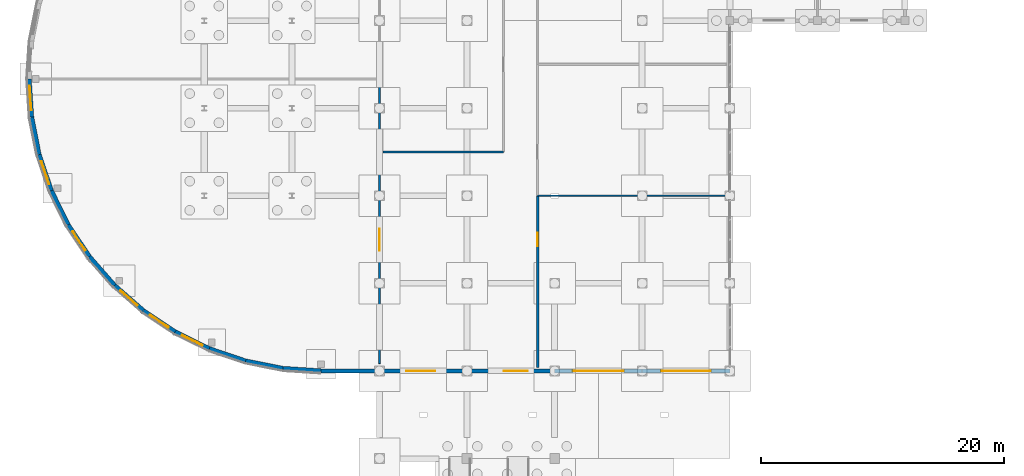
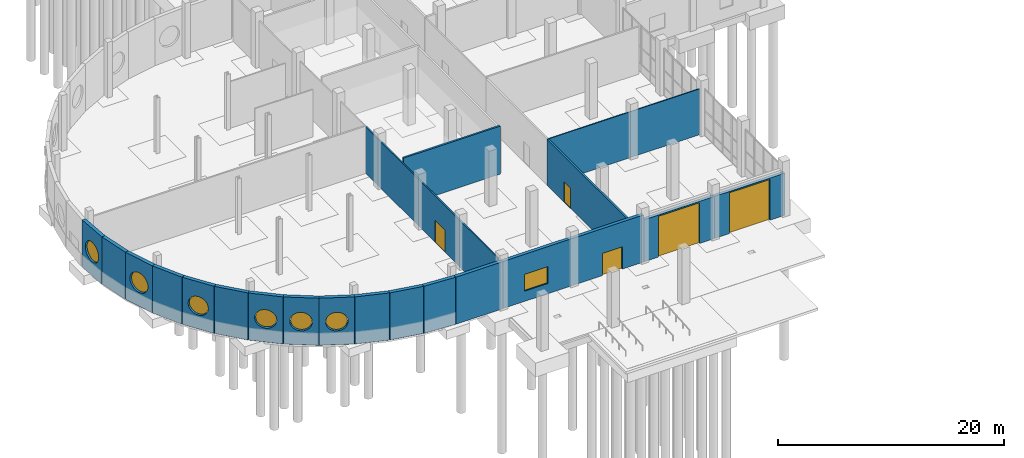
# One storey, part 29 of 45: 20 walls, 7 windows, 5 doors, 12 openings.
"""IFC4 building model written with IfcOpenShell, lengths in metres."""

from ifc_helpers import new_model, si_unit, direction, frame, frame_2d, origin, place, context, subcontext, project, spatial, polyline, rectangle, outline, extrude, material, layer, layer_set, type_object, element, fill, save


model = new_model("IFC4")

# Units and contexts
model_context = context("Model", 3, precision=1e-05, world=origin(), true_north=direction((0.0, 1.0)))
body_context = subcontext(model_context, "Body", "Model", "MODEL_VIEW")
ifc_project = project(units=[si_unit("LENGTHUNIT", "METRE"), si_unit("AREAUNIT", "SQUARE_METRE"), si_unit("VOLUMEUNIT", "CUBIC_METRE"), si_unit("PLANEANGLEUNIT", "RADIAN"), si_unit("MASSUNIT", "GRAM", prefix="KILO")], contexts=[model_context])

# Site, building, storey
site_placement = place(None, origin())
site = spatial("IfcSite", under=ifc_project, at=site_placement, CompositionType="ELEMENT")
building_placement = place(site_placement, origin())
building = spatial("IfcBuilding", under=site, at=building_placement, Name="Yarey Park Central Fire Station", CompositionType="ELEMENT")
storey_placement = place(building_placement, origin())
storey = spatial("IfcBuildingStorey", under=building, at=storey_placement, Name="L01", CompositionType="ELEMENT", Elevation=0.0)

# Wall, openings, door, window
ifc_material_1 = material(Name="Coral-Limestone Masonry Wall", Category="masonry")
ifc_layer_1 = layer(ifc_material_1, 0.330078125)
ifc_layer_set_1 = layer_set([ifc_layer_1], Name="Coral-Limestone Masonry Wall")
wall_type_1 = type_object("IfcWallType", Name="ENV_WALL_LIME330", PredefinedType="STANDARD", material=ifc_layer_set_1)
wall_1_placement = place(storey_placement, frame((43.199951171875, 7.199951171875, 0.0), z_axis=(0.0, 0.0, 1.0), x_axis=(-1.0, 0.0, 0.0)))
wall_1 = element("IfcWall", 1, at=wall_1_placement, inside=storey, type_object=wall_type_1, Name="EW_L01_V1_SOUTH", PredefinedType="STANDARD", context=body_context, shape_type="SweptSolid", body=[
    extrude(rectangle(XDim=14.39990234375, YDim=0.330078125, at=frame_2d((7.199951171875, 0.0))), origin(), (0.0, 0.0, 1.0), 5.080078125),
])
opening_1_placement = place(wall_1_placement, frame((2.199951171875, 0.0, 0.0)))
opening_1 = element("IfcOpeningElement", 2, at=opening_1_placement, cuts=wall_1, Name="Opening ED-200", PredefinedType="OPENING", context=body_context, shape_type="SweptSolid", body=[
    extrude(rectangle(XDim=2.0, YDim=2.39990234375, at=frame_2d((1.0, 1.199951171875))), frame((0.0, 0.175048828125, 0.0), z_axis=(0.0, -1.0, 0.0), x_axis=(1.0, 0.0, 0.0)), (0.0, 0.0, 1.0), 0.35009765625),
])
opening_2_placement = place(wall_1_placement, frame((9.800048828125, 0.0, 1.10009765625)))
opening_2 = element("IfcOpeningElement", 3, at=opening_2_placement, cuts=wall_1, Name="Opening WN-P240", PredefinedType="OPENING", context=body_context, shape_type="SweptSolid", body=[
    extrude(rectangle(XDim=2.39990234375, YDim=1.820068359375, at=frame_2d((1.199951171875, 0.91015625))), frame((0.0, 0.175048828125, 0.0), z_axis=(0.0, -1.0, 0.0), x_axis=(1.0, 0.0, 0.0)), (0.0, 0.0, 1.0), 0.35009765625),
])
ifc_material_2 = material(Name="Galvanized Hollow Metal Door", Category="metal")
door_type_1 = type_object("IfcDoorType", Name="ENV_DOOR_EX2000", OperationType="NOTDEFINED", PredefinedType="DOOR", material=ifc_material_2)
door_1_placement = place(opening_1_placement, origin())
door_1 = element("IfcDoor", 4, at=door_1_placement, inside=storey, type_object=door_type_1, Name="DOOR_L01_EX_E06", OperationType="SINGLE_SWING_RIGHT", OverallHeight=2.39990234375, OverallWidth=2.0, PredefinedType="DOOR", context=body_context, shape_type="SweptSolid", body=[
    extrude(rectangle(XDim=2.0, YDim=2.39990234375, at=frame_2d((1.0, 1.199951171875))), frame((0.0, 0.02490234375, 0.0), z_axis=(0.0, -1.0, 0.0), x_axis=(1.0, 0.0, 0.0)), (0.0, 0.0, 1.0), 0.050048828125),
])
fill(opening_1, door_1)
ifc_material_3 = material(Name="Laminated Hurricane Low-E Glass", Category="glass")
window_type_1 = type_object("IfcWindowType", Name="ENV_WIN_PUNCH_240", PartitioningType="SINGLE_PANEL", PredefinedType="WINDOW", material=ifc_material_3)
window_1_placement = place(opening_2_placement, origin())
window_1 = element("IfcWindow", 5, at=window_1_placement, inside=storey, type_object=window_type_1, Name="WIN_L01_V1S_1", OverallHeight=1.820068359375, OverallWidth=2.39990234375, PartitioningType="SINGLE_PANEL", PredefinedType="WINDOW", context=body_context, shape_type="SweptSolid", body=[
    extrude(rectangle(XDim=2.39990234375, YDim=1.820068359375, at=frame_2d((1.199951171875, 0.91015625))), frame((0.0, 0.030029296875, 0.0), z_axis=(0.0, -1.0, 0.0), x_axis=(1.0, 0.0, 0.0)), (0.0, 0.0, 1.0), 0.06005859375),
])
fill(opening_2, window_1)

# Wall, opening, door
wall_2_placement = place(storey_placement, frame((50.39990234375, 7.199951171875, 0.0), z_axis=(0.0, 0.0, 1.0), x_axis=(-1.0, 0.0, 0.0)))
wall_2 = element("IfcWall", 6, at=wall_2_placement, inside=storey, type_object=wall_type_1, Name="EW_L01_V1_SGATE_1", PredefinedType="STANDARD", context=body_context, shape_type="SweptSolid", body=[
    extrude(rectangle(XDim=7.199951171875, YDim=0.330078125, at=frame_2d((3.60009765625, 0.0))), origin(), (0.0, 0.0, 1.0), 4.5400390625),
])
opening_3_placement = place(wall_2_placement, frame((1.5, 0.0, 0.0)))
opening_3 = element("IfcOpeningElement", 7, at=opening_3_placement, cuts=wall_2, Name="Opening VD-42", PredefinedType="OPENING", context=body_context, shape_type="SweptSolid", body=[
    extrude(rectangle(XDim=4.199951171875, YDim=4.39990234375, at=frame_2d((2.10009765625, 2.199951171875))), frame((0.0, 0.175048828125, 0.0), z_axis=(0.0, -1.0, 0.0), x_axis=(1.0, 0.0, 0.0)), (0.0, 0.0, 1.0), 0.35009765625),
])
ifc_material_4 = material(Name="Anodized Aluminium Frame", Category="aluminium")
door_type_2 = type_object("IfcDoorType", Name="ENV_GATE_VD4200", OperationType="NOTDEFINED", PredefinedType="GATE", material=ifc_material_4)
door_2_placement = place(opening_3_placement, origin())
door_2 = element("IfcDoor", 8, at=door_2_placement, inside=storey, type_object=door_type_2, Name="GATE_VD_PLINTH_S1", OperationType="FOLDING_TO_LEFT", OverallHeight=4.39990234375, OverallWidth=4.199951171875, PredefinedType="GATE", context=body_context, shape_type="SweptSolid", body=[
    extrude(rectangle(XDim=4.199951171875, YDim=4.39990234375, at=frame_2d((2.10009765625, 2.199951171875))), frame((0.0, 0.02490234375, 0.0), z_axis=(0.0, -1.0, 0.0), x_axis=(1.0, 0.0, 0.0)), (0.0, 0.0, 1.0), 0.050048828125),
])
fill(opening_3, door_2)

wall_3_placement = place(storey_placement, frame((57.60009765625, 7.199951171875, 0.0), z_axis=(0.0, 0.0, 1.0), x_axis=(-1.0, 0.0, 0.0)))
wall_3 = element("IfcWall", 9, at=wall_3_placement, inside=storey, type_object=wall_type_1, Name="EW_L01_V1_SGATE_2", PredefinedType="STANDARD", context=body_context, shape_type="SweptSolid", body=[
    extrude(rectangle(XDim=7.2001953125, YDim=0.330078125, at=frame_2d((3.60009765625, 0.0))), origin(), (0.0, 0.0, 1.0), 4.5400390625),
])
opening_4_placement = place(wall_3_placement, frame((1.550048828125, 0.0, 0.0)))
opening_4 = element("IfcOpeningElement", 10, at=opening_4_placement, cuts=wall_3, Name="Opening VD-41", PredefinedType="OPENING", context=body_context, shape_type="SweptSolid", body=[
    extrude(rectangle(XDim=4.10009765625, YDim=4.39990234375, at=frame_2d((2.050048828125, 2.199951171875))), frame((0.0, 0.175048828125, 0.0), z_axis=(0.0, -1.0, 0.0), x_axis=(1.0, 0.0, 0.0)), (0.0, 0.0, 1.0), 0.35009765625),
])
door_type_3 = type_object("IfcDoorType", Name="ENV_GATE_VD4100", OperationType="NOTDEFINED", PredefinedType="GATE", material=ifc_material_4)
door_3_placement = place(opening_4_placement, origin())
door_3 = element("IfcDoor", 11, at=door_3_placement, inside=storey, type_object=door_type_3, Name="GATE_VD_PLINTH_S2", OperationType="FOLDING_TO_LEFT", OverallHeight=4.39990234375, OverallWidth=4.10009765625, PredefinedType="GATE", context=body_context, shape_type="SweptSolid", body=[
    extrude(rectangle(XDim=4.10009765625, YDim=4.39990234375, at=frame_2d((2.050048828125, 2.199951171875))), frame((0.0, 0.02490234375, 0.0), z_axis=(0.0, -1.0, 0.0), x_axis=(1.0, 0.0, 0.0)), (0.0, 0.0, 1.0), 0.050048828125),
])
fill(opening_4, door_3)

# Wall, opening, window
ifc_layer_2 = layer(ifc_material_1, 0.360107421875)
ifc_layer_set_2 = layer_set([ifc_layer_2], Name="Coral-Limestone Masonry Wall")
wall_type_2 = type_object("IfcWallType", Name="ENV_WALL_LIME360", PredefinedType="STANDARD", material=ifc_layer_set_2)
wall_4_placement = place(storey_placement, frame((0.0, 31.199951171875, 0.0), z_axis=(0.0, 0.0, 1.0), x_axis=(0.065404045199, -0.997858863202, 0.0)))
wall_4 = element("IfcWall", 12, at=wall_4_placement, inside=storey, type_object=wall_type_2, Name="EW_L01_V1_ARC_13", PredefinedType="STANDARD", context=body_context, shape_type="SweptSolid", body=[
    extrude(rectangle(XDim=3.139404296875, YDim=0.360107421875, at=frame_2d((1.56982421875, 0.0))), origin(), (0.0, 0.0, 1.0), 5.080078125),
])
opening_5_placement = place(wall_4_placement, frame((0.569580078125, 0.0, 1.550048828125)))
opening_5 = element("IfcOpeningElement", 13, at=opening_5_placement, cuts=wall_4, Name="Opening WN-PH200", PredefinedType="OPENING", context=body_context, shape_type="SweptSolid", body=[
    extrude(outline(polyline([(2.06494140625, 1.0), (2.02880859375, 1.275390625), (1.92236328125, 1.531982421875), (1.753173828125, 1.75244140625), (1.532470703125, 1.921630859375), (1.275634765625, 2.02783203125), (1.0, 2.064208984375), (0.724365234375, 2.02783203125), (0.467529296875, 1.921630859375), (0.246826171875, 1.75244140625), (0.07763671875, 1.531982421875), (-0.02880859375, 1.275390625), (-0.06494140625, 1.0), (-0.02880859375, 0.724609375), (0.07763671875, 0.468017578125), (0.246826171875, 0.24755859375), (0.467529296875, 0.078369140625), (0.724365234375, -0.02783203125), (1.0, -0.064208984375), (1.275634765625, -0.02783203125), (1.532470703125, 0.078369140625), (1.753173828125, 0.24755859375), (1.92236328125, 0.468017578125), (2.02880859375, 0.724609375), (2.06494140625, 1.0)])), frame((0.0, 0.18994140625, 0.0), z_axis=(0.0, -1.0, 0.0), x_axis=(1.0, 0.0, 0.0)), (0.0, 0.0, 1.0), 0.380126953125),
])
window_type_2 = type_object("IfcWindowType", Name="ENV_WIN_PORTHOLE", PartitioningType="SINGLE_PANEL", PredefinedType="WINDOW", material=ifc_material_3)
window_2_placement = place(opening_5_placement, origin())
window_2 = element("IfcWindow", 14, at=window_2_placement, inside=storey, type_object=window_type_2, Name="WIN_L01_PORTHOLE_07", OverallHeight=2.0, OverallWidth=2.0, PartitioningType="SINGLE_PANEL", PredefinedType="WINDOW", context=body_context, shape_type="SweptSolid", body=[
    extrude(outline(polyline([(2.0, 1.0), (1.9658203125, 1.258544921875), (1.865966796875, 1.49951171875), (1.70703125, 1.70654296875), (1.5, 1.865234375), (1.2587890625, 1.965087890625), (1.0, 1.999267578125), (0.7412109375, 1.965087890625), (0.5, 1.865234375), (0.29296875, 1.70654296875), (0.134033203125, 1.49951171875), (0.0341796875, 1.258544921875), (0.0, 1.0), (0.0341796875, 0.741455078125), (0.134033203125, 0.50048828125), (0.29296875, 0.29345703125), (0.5, 0.134765625), (0.7412109375, 0.034912109375), (1.0, 0.000732421875), (1.2587890625, 0.034912109375), (1.5, 0.134765625), (1.70703125, 0.29345703125), (1.865966796875, 0.50048828125), (1.9658203125, 0.741455078125), (2.0, 1.0)])), frame((0.0, 0.030029296875, 0.0), z_axis=(0.0, -1.0, 0.0), x_axis=(1.0, 0.0, 0.0)), (0.0, 0.0, 1.0), 0.06005859375),
])
fill(opening_5, window_2)

# Wall
wall_5_placement = place(storey_placement, frame((0.205322265625, 28.0673828125, 0.0), z_axis=(0.0, 0.0, 1.0), x_axis=(0.195114052077, -0.980780559902, 0.0)))
element("IfcWall", 15, at=wall_5_placement, inside=storey, type_object=wall_type_2, Name="EW_L01_V1_ARC_14", PredefinedType="STANDARD", context=body_context, shape_type="SweptSolid", body=[
    extrude(rectangle(XDim=3.139404296875, YDim=0.360107421875, at=frame_2d((1.56982421875, 0.0))), origin(), (0.0, 0.0, 1.0), 5.080078125),
])

# Wall, opening, window
wall_6_placement = place(storey_placement, frame((0.81787109375, 24.98828125, 0.0), z_axis=(0.0, 0.0, 1.0), x_axis=(0.32142586303, -0.946934746736, 0.0)))
wall_6 = element("IfcWall", 16, at=wall_6_placement, inside=storey, type_object=wall_type_2, Name="EW_L01_V1_ARC_15", PredefinedType="STANDARD", context=body_context, shape_type="SweptSolid", body=[
    extrude(rectangle(XDim=3.13916015625, YDim=0.360107421875, at=frame_2d((1.569580078125, 0.0))), origin(), (0.0, 0.0, 1.0), 5.080078125),
])
opening_6_placement = place(wall_6_placement, frame((0.569580078125, 0.0, 1.550048828125)))
opening_6 = element("IfcOpeningElement", 17, at=opening_6_placement, cuts=wall_6, Name="Opening WN-PH200", PredefinedType="OPENING", context=body_context, shape_type="SweptSolid", body=[
    extrude(outline(polyline([(2.06494140625, 1.0), (2.02880859375, 1.275390625), (1.92236328125, 1.531982421875), (1.753173828125, 1.75244140625), (1.532470703125, 1.921630859375), (1.275634765625, 2.02783203125), (1.0, 2.064208984375), (0.724365234375, 2.02783203125), (0.467529296875, 1.921630859375), (0.246826171875, 1.75244140625), (0.07763671875, 1.531982421875), (-0.02880859375, 1.275390625), (-0.06494140625, 1.0), (-0.02880859375, 0.724609375), (0.07763671875, 0.468017578125), (0.246826171875, 0.24755859375), (0.467529296875, 0.078369140625), (0.724365234375, -0.02783203125), (1.0, -0.064208984375), (1.275634765625, -0.02783203125), (1.532470703125, 0.078369140625), (1.753173828125, 0.24755859375), (1.92236328125, 0.468017578125), (2.02880859375, 0.724609375), (2.06494140625, 1.0)])), frame((0.0, 0.18994140625, 0.0), z_axis=(0.0, -1.0, 0.0), x_axis=(1.0, 0.0, 0.0)), (0.0, 0.0, 1.0), 0.380126953125),
])
window_3_placement = place(opening_6_placement, origin())
window_3 = element("IfcWindow", 18, at=window_3_placement, inside=storey, type_object=window_type_2, Name="WIN_L01_PORTHOLE_08", OverallHeight=2.0, OverallWidth=2.0, PartitioningType="SINGLE_PANEL", PredefinedType="WINDOW", context=body_context, shape_type="SweptSolid", body=[
    extrude(outline(polyline([(2.0, 1.0), (1.9658203125, 1.258544921875), (1.865966796875, 1.49951171875), (1.70703125, 1.70654296875), (1.5, 1.865234375), (1.2587890625, 1.965087890625), (1.0, 1.999267578125), (0.7412109375, 1.965087890625), (0.5, 1.865234375), (0.29296875, 1.70654296875), (0.134033203125, 1.49951171875), (0.0341796875, 1.258544921875), (0.0, 1.0), (0.0341796875, 0.741455078125), (0.134033203125, 0.50048828125), (0.29296875, 0.29345703125), (0.5, 0.134765625), (0.7412109375, 0.034912109375), (1.0, 0.000732421875), (1.2587890625, 0.034912109375), (1.5, 0.134765625), (1.70703125, 0.29345703125), (1.865966796875, 0.50048828125), (1.9658203125, 0.741455078125), (2.0, 1.0)])), frame((0.0, 0.030029296875, 0.0), z_axis=(0.0, -1.0, 0.0), x_axis=(1.0, 0.0, 0.0)), (0.0, 0.0, 1.0), 0.06005859375),
])
fill(opening_6, window_3)

# Wall
wall_7_placement = place(storey_placement, frame((1.826904296875, 22.015625, 0.0), z_axis=(0.0, 0.0, 1.0), x_axis=(0.442260778396, -0.896886505581, 0.0)))
element("IfcWall", 19, at=wall_7_placement, inside=storey, type_object=wall_type_2, Name="EW_L01_V1_ARC_16", PredefinedType="STANDARD", context=body_context, shape_type="SweptSolid", body=[
    extrude(rectangle(XDim=3.139404296875, YDim=0.360107421875, at=frame_2d((1.56982421875, 0.0))), origin(), (0.0, 0.0, 1.0), 5.080078125),
])

# Wall, opening, window
wall_8_placement = place(storey_placement, frame((3.21533203125, 19.199951171875, 0.0), z_axis=(0.0, 0.0, 1.0), x_axis=(0.555597233272, -0.831451570676, 0.0)))
wall_8 = element("IfcWall", 20, at=wall_8_placement, inside=storey, type_object=wall_type_2, Name="EW_L01_V1_ARC_17", PredefinedType="STANDARD", context=body_context, shape_type="SweptSolid", body=[
    extrude(rectangle(XDim=3.13916015625, YDim=0.360107421875, at=frame_2d((1.569580078125, 0.0))), origin(), (0.0, 0.0, 1.0), 5.080078125),
])
opening_7_placement = place(wall_8_placement, frame((0.629638671875, 0.0, 1.550048828125)))
opening_7 = element("IfcOpeningElement", 21, at=opening_7_placement, cuts=wall_8, Name="Opening WN-PH188", PredefinedType="OPENING", context=body_context, shape_type="SweptSolid", body=[
    extrude(outline(polyline([(1.94482421875, 0.93994140625), (1.91064453125, 1.199951171875), (1.810302734375, 1.44189453125), (1.650634765625, 1.64990234375), (1.4423828125, 1.8095703125), (1.199951171875, 1.909912109375), (0.93994140625, 1.944091796875), (0.679931640625, 1.909912109375), (0.4375, 1.8095703125), (0.229248046875, 1.64990234375), (0.069580078125, 1.44189453125), (-0.03076171875, 1.199951171875), (-0.06494140625, 0.93994140625), (-0.03076171875, 0.679931640625), (0.069580078125, 0.43798828125), (0.229248046875, 0.22998046875), (0.4375, 0.0703125), (0.679931640625, -0.030029296875), (0.93994140625, -0.064208984375), (1.199951171875, -0.030029296875), (1.4423828125, 0.0703125), (1.650634765625, 0.22998046875), (1.810302734375, 0.43798828125), (1.91064453125, 0.679931640625), (1.94482421875, 0.93994140625)])), frame((0.0, 0.18994140625, 0.0), z_axis=(0.0, -1.0, 0.0), x_axis=(1.0, 0.0, 0.0)), (0.0, 0.0, 1.0), 0.380126953125),
])
window_type_3 = type_object("IfcWindowType", Name="ENV_WIN_PORTHOLE_B", PartitioningType="SINGLE_PANEL", PredefinedType="WINDOW", material=ifc_material_3)
window_4_placement = place(opening_7_placement, origin())
window_4 = element("IfcWindow", 22, at=window_4_placement, inside=storey, type_object=window_type_3, Name="WIN_L01_PORTHOLE_09", OverallHeight=1.8798828125, OverallWidth=1.8798828125, PartitioningType="SINGLE_PANEL", PredefinedType="WINDOW", context=body_context, shape_type="SweptSolid", body=[
    extrude(outline(polyline([(1.8798828125, 0.93994140625), (1.847900390625, 1.18310546875), (1.75390625, 1.409423828125), (1.6044921875, 1.60400390625), (1.409912109375, 1.753173828125), (1.18310546875, 1.84716796875), (0.93994140625, 1.879150390625), (0.69677734375, 1.84716796875), (0.469970703125, 1.753173828125), (0.275390625, 1.60400390625), (0.1259765625, 1.409423828125), (0.031982421875, 1.18310546875), (0.0, 0.93994140625), (0.031982421875, 0.69677734375), (0.1259765625, 0.470458984375), (0.275390625, 0.27587890625), (0.469970703125, 0.126708984375), (0.69677734375, 0.03271484375), (0.93994140625, 0.000732421875), (1.18310546875, 0.03271484375), (1.409912109375, 0.126708984375), (1.6044921875, 0.27587890625), (1.75390625, 0.470458984375), (1.847900390625, 0.69677734375), (1.8798828125, 0.93994140625)])), frame((0.0, 0.030029296875, 0.0), z_axis=(0.0, -1.0, 0.0), x_axis=(1.0, 0.0, 0.0)), (0.0, 0.0, 1.0), 0.06005859375),
])
fill(opening_7, window_4)

# Wall
wall_9_placement = place(storey_placement, frame((4.95947265625, 16.58984375, 0.0), z_axis=(0.0, 0.0, 1.0), x_axis=(0.659363026646, -0.75182471301, 0.0)))
element("IfcWall", 23, at=wall_9_placement, inside=storey, type_object=wall_type_2, Name="EW_L01_V1_ARC_18", PredefinedType="STANDARD", context=body_context, shape_type="SweptSolid", body=[
    extrude(rectangle(XDim=3.139404296875, YDim=0.360107421875, at=frame_2d((1.56982421875, 0.0))), origin(), (0.0, 0.0, 1.0), 5.080078125),
])

# Wall, opening, window
wall_10_placement = place(storey_placement, frame((7.029541015625, 14.2294921875, 0.0), z_axis=(0.0, 0.0, 1.0), x_axis=(0.751790901293, -0.659401577745, 0.0)))
wall_10 = element("IfcWall", 24, at=wall_10_placement, inside=storey, type_object=wall_type_2, Name="EW_L01_V1_ARC_19", PredefinedType="STANDARD", context=body_context, shape_type="SweptSolid", body=[
    extrude(rectangle(XDim=3.139404296875, YDim=0.360107421875, at=frame_2d((1.56982421875, 0.0))), origin(), (0.0, 0.0, 1.0), 5.080078125),
])
opening_8_placement = place(wall_10_placement, frame((0.629638671875, 0.0, 1.550048828125)))
opening_8 = element("IfcOpeningElement", 25, at=opening_8_placement, cuts=wall_10, Name="Opening WN-PH188", PredefinedType="OPENING", context=body_context, shape_type="SweptSolid", body=[
    extrude(outline(polyline([(1.94482421875, 0.93994140625), (1.91064453125, 1.199951171875), (1.810302734375, 1.44189453125), (1.650634765625, 1.64990234375), (1.4423828125, 1.8095703125), (1.199951171875, 1.909912109375), (0.93994140625, 1.944091796875), (0.679931640625, 1.909912109375), (0.4375, 1.8095703125), (0.229248046875, 1.64990234375), (0.069580078125, 1.44189453125), (-0.03076171875, 1.199951171875), (-0.06494140625, 0.93994140625), (-0.03076171875, 0.679931640625), (0.069580078125, 0.43798828125), (0.229248046875, 0.22998046875), (0.4375, 0.0703125), (0.679931640625, -0.030029296875), (0.93994140625, -0.064208984375), (1.199951171875, -0.030029296875), (1.4423828125, 0.0703125), (1.650634765625, 0.22998046875), (1.810302734375, 0.43798828125), (1.91064453125, 0.679931640625), (1.94482421875, 0.93994140625)])), frame((0.0, 0.18994140625, 0.0), z_axis=(0.0, -1.0, 0.0), x_axis=(1.0, 0.0, 0.0)), (0.0, 0.0, 1.0), 0.380126953125),
])
window_5_placement = place(opening_8_placement, origin())
window_5 = element("IfcWindow", 26, at=window_5_placement, inside=storey, type_object=window_type_3, Name="WIN_L01_PORTHOLE_10", OverallHeight=1.8798828125, OverallWidth=1.8798828125, PartitioningType="SINGLE_PANEL", PredefinedType="WINDOW", context=body_context, shape_type="SweptSolid", body=[
    extrude(outline(polyline([(1.8798828125, 0.93994140625), (1.847900390625, 1.18310546875), (1.75390625, 1.409423828125), (1.6044921875, 1.60400390625), (1.409912109375, 1.753173828125), (1.18310546875, 1.84716796875), (0.93994140625, 1.879150390625), (0.69677734375, 1.84716796875), (0.469970703125, 1.753173828125), (0.275390625, 1.60400390625), (0.1259765625, 1.409423828125), (0.031982421875, 1.18310546875), (0.0, 0.93994140625), (0.031982421875, 0.69677734375), (0.1259765625, 0.470458984375), (0.275390625, 0.27587890625), (0.469970703125, 0.126708984375), (0.69677734375, 0.03271484375), (0.93994140625, 0.000732421875), (1.18310546875, 0.03271484375), (1.409912109375, 0.126708984375), (1.6044921875, 0.27587890625), (1.75390625, 0.470458984375), (1.847900390625, 0.69677734375), (1.8798828125, 0.93994140625)])), frame((0.0, 0.030029296875, 0.0), z_axis=(0.0, -1.0, 0.0), x_axis=(1.0, 0.0, 0.0)), (0.0, 0.0, 1.0), 0.06005859375),
])
fill(opening_8, window_5)

wall_11_placement = place(storey_placement, frame((9.3896484375, 12.159423828125, 0.0), z_axis=(0.0, 0.0, 1.0), x_axis=(0.831475575397, -0.555561308514, 0.0)))
wall_11 = element("IfcWall", 27, at=wall_11_placement, inside=storey, type_object=wall_type_2, Name="EW_L01_V1_ARC_20", PredefinedType="STANDARD", context=body_context, shape_type="SweptSolid", body=[
    extrude(rectangle(XDim=3.139404296875, YDim=0.360107421875, at=frame_2d((1.56982421875, 0.0))), origin(), (0.0, 0.0, 1.0), 5.080078125),
])
opening_9_placement = place(wall_11_placement, frame((0.629638671875, 0.0, 1.550048828125)))
opening_9 = element("IfcOpeningElement", 28, at=opening_9_placement, cuts=wall_11, Name="Opening WN-PH188", PredefinedType="OPENING", context=body_context, shape_type="SweptSolid", body=[
    extrude(outline(polyline([(1.94482421875, 0.93994140625), (1.91064453125, 1.199951171875), (1.810302734375, 1.44189453125), (1.650634765625, 1.64990234375), (1.4423828125, 1.8095703125), (1.199951171875, 1.909912109375), (0.93994140625, 1.944091796875), (0.679931640625, 1.909912109375), (0.4375, 1.8095703125), (0.229248046875, 1.64990234375), (0.069580078125, 1.44189453125), (-0.03076171875, 1.199951171875), (-0.06494140625, 0.93994140625), (-0.03076171875, 0.679931640625), (0.069580078125, 0.43798828125), (0.229248046875, 0.22998046875), (0.4375, 0.0703125), (0.679931640625, -0.030029296875), (0.93994140625, -0.064208984375), (1.199951171875, -0.030029296875), (1.4423828125, 0.0703125), (1.650634765625, 0.22998046875), (1.810302734375, 0.43798828125), (1.91064453125, 0.679931640625), (1.94482421875, 0.93994140625)])), frame((0.0, 0.18994140625, 0.0), z_axis=(0.0, -1.0, 0.0), x_axis=(1.0, 0.0, 0.0)), (0.0, 0.0, 1.0), 0.380126953125),
])
window_6_placement = place(opening_9_placement, origin())
window_6 = element("IfcWindow", 29, at=window_6_placement, inside=storey, type_object=window_type_3, Name="WIN_L01_PORTHOLE_11", OverallHeight=1.8798828125, OverallWidth=1.8798828125, PartitioningType="SINGLE_PANEL", PredefinedType="WINDOW", context=body_context, shape_type="SweptSolid", body=[
    extrude(outline(polyline([(1.8798828125, 0.93994140625), (1.847900390625, 1.18310546875), (1.75390625, 1.409423828125), (1.6044921875, 1.60400390625), (1.409912109375, 1.753173828125), (1.18310546875, 1.84716796875), (0.93994140625, 1.879150390625), (0.69677734375, 1.84716796875), (0.469970703125, 1.753173828125), (0.275390625, 1.60400390625), (0.1259765625, 1.409423828125), (0.031982421875, 1.18310546875), (0.0, 0.93994140625), (0.031982421875, 0.69677734375), (0.1259765625, 0.470458984375), (0.275390625, 0.27587890625), (0.469970703125, 0.126708984375), (0.69677734375, 0.03271484375), (0.93994140625, 0.000732421875), (1.18310546875, 0.03271484375), (1.409912109375, 0.126708984375), (1.6044921875, 0.27587890625), (1.75390625, 0.470458984375), (1.847900390625, 0.69677734375), (1.8798828125, 0.93994140625)])), frame((0.0, 0.030029296875, 0.0), z_axis=(0.0, -1.0, 0.0), x_axis=(1.0, 0.0, 0.0)), (0.0, 0.0, 1.0), 0.06005859375),
])
fill(opening_9, window_6)

wall_12_placement = place(storey_placement, frame((12.0, 10.415283203125, 0.0), z_axis=(0.0, 0.0, 1.0), x_axis=(0.896886505581, -0.442260778396, 0.0)))
wall_12 = element("IfcWall", 30, at=wall_12_placement, inside=storey, type_object=wall_type_2, Name="EW_L01_V1_ARC_21", PredefinedType="STANDARD", context=body_context, shape_type="SweptSolid", body=[
    extrude(rectangle(XDim=3.139404296875, YDim=0.360107421875, at=frame_2d((1.56982421875, 0.0))), origin(), (0.0, 0.0, 1.0), 5.080078125),
])
opening_10_placement = place(wall_12_placement, frame((0.629638671875, 0.0, 1.550048828125)))
opening_10 = element("IfcOpeningElement", 31, at=opening_10_placement, cuts=wall_12, Name="Opening WN-PH188", PredefinedType="OPENING", context=body_context, shape_type="SweptSolid", body=[
    extrude(outline(polyline([(1.94482421875, 0.93994140625), (1.91064453125, 1.199951171875), (1.810302734375, 1.44189453125), (1.650634765625, 1.64990234375), (1.4423828125, 1.8095703125), (1.199951171875, 1.909912109375), (0.93994140625, 1.944091796875), (0.679931640625, 1.909912109375), (0.4375, 1.8095703125), (0.229248046875, 1.64990234375), (0.069580078125, 1.44189453125), (-0.03076171875, 1.199951171875), (-0.06494140625, 0.93994140625), (-0.03076171875, 0.679931640625), (0.069580078125, 0.43798828125), (0.229248046875, 0.22998046875), (0.4375, 0.0703125), (0.679931640625, -0.030029296875), (0.93994140625, -0.064208984375), (1.199951171875, -0.030029296875), (1.4423828125, 0.0703125), (1.650634765625, 0.22998046875), (1.810302734375, 0.43798828125), (1.91064453125, 0.679931640625), (1.94482421875, 0.93994140625)])), frame((0.0, 0.18994140625, 0.0), z_axis=(0.0, -1.0, 0.0), x_axis=(1.0, 0.0, 0.0)), (0.0, 0.0, 1.0), 0.380126953125),
])
window_7_placement = place(opening_10_placement, origin())
window_7 = element("IfcWindow", 32, at=window_7_placement, inside=storey, type_object=window_type_3, Name="WIN_L01_PORTHOLE_12", OverallHeight=1.8798828125, OverallWidth=1.8798828125, PartitioningType="SINGLE_PANEL", PredefinedType="WINDOW", context=body_context, shape_type="SweptSolid", body=[
    extrude(outline(polyline([(1.8798828125, 0.93994140625), (1.847900390625, 1.18310546875), (1.75390625, 1.409423828125), (1.6044921875, 1.60400390625), (1.409912109375, 1.753173828125), (1.18310546875, 1.84716796875), (0.93994140625, 1.879150390625), (0.69677734375, 1.84716796875), (0.469970703125, 1.753173828125), (0.275390625, 1.60400390625), (0.1259765625, 1.409423828125), (0.031982421875, 1.18310546875), (0.0, 0.93994140625), (0.031982421875, 0.69677734375), (0.1259765625, 0.470458984375), (0.275390625, 0.27587890625), (0.469970703125, 0.126708984375), (0.69677734375, 0.03271484375), (0.93994140625, 0.000732421875), (1.18310546875, 0.03271484375), (1.409912109375, 0.126708984375), (1.6044921875, 0.27587890625), (1.75390625, 0.470458984375), (1.847900390625, 0.69677734375), (1.8798828125, 0.93994140625)])), frame((0.0, 0.030029296875, 0.0), z_axis=(0.0, -1.0, 0.0), x_axis=(1.0, 0.0, 0.0)), (0.0, 0.0, 1.0), 0.06005859375),
])
fill(opening_10, window_7)

# Walls
wall_13_placement = place(storey_placement, frame((14.815673828125, 9.02685546875, 0.0), z_axis=(0.0, 0.0, 1.0), x_axis=(0.946934746736, -0.32142586303, 0.0)))
element("IfcWall", 33, at=wall_13_placement, inside=storey, type_object=wall_type_2, Name="EW_L01_V1_ARC_22", PredefinedType="STANDARD", context=body_context, shape_type="SweptSolid", body=[
    extrude(rectangle(XDim=3.13916015625, YDim=0.360107421875, at=frame_2d((1.569580078125, 0.0))), origin(), (0.0, 0.0, 1.0), 5.080078125),
])
for number, where, z_axis, x_axis, name in (
    (34, (17.788330078125, 8.017822265625, 0.0), (0.0, 0.0, 1.0), (0.980780559902, -0.195114052077, 0.0), "EW_L01_V1_ARC_23"),
    (35, (20.867431640625, 7.4052734375, 0.0), (0.0, 0.0, 1.0), (0.997858863202, -0.065404045199, 0.0), "EW_L01_V1_ARC_24"),
):
    element("IfcWall", number, at=place(storey_placement, frame(where, z_axis=z_axis, x_axis=x_axis)), inside=storey, type_object=wall_type_2, Name=name, PredefinedType="STANDARD", context=body_context, shape_type="SweptSolid", body=[
        extrude(rectangle(XDim=3.139404296875, YDim=0.360107421875, at=frame_2d((1.56982421875, 0.0))), origin(), (0.0, 0.0, 1.0), 5.080078125),
    ])
wall_14_placement = place(storey_placement, frame((24.0, 7.199951171875, 0.0), z_axis=(0.0, 0.0, 1.0), x_axis=(1.0, 0.0, 0.0)))
element("IfcWall", 36, at=wall_14_placement, inside=storey, type_object=wall_type_2, Name="EW_L01_V1_NECK_S", PredefinedType="STANDARD", context=body_context, shape_type="SweptSolid", body=[
    extrude(rectangle(XDim=4.800048828125, YDim=0.360107421875, at=frame_2d((2.39990234375, 0.0))), origin(), (0.0, 0.0, 1.0), 5.080078125),
])
ifc_material_5 = material(Name="Concrete C35/45", Category="concrete")
ifc_layer_3 = layer(ifc_material_5, 0.18994140625)
ifc_layer_set_3 = layer_set([ifc_layer_3], Name="Concrete C35/45")
wall_type_3 = type_object("IfcWallType", Name="INT_WALL_CMU190", PredefinedType="STANDARD", material=ifc_layer_set_3)
wall_15_placement = place(storey_placement, frame((29.10009765625, 25.199951171875, 0.0), z_axis=(0.0, 0.0, 1.0), x_axis=(1.0, 0.0, 0.0)))
element("IfcWall", 37, at=wall_15_placement, inside=storey, type_object=wall_type_3, Name="PART_SPC_L01_WATCH_SOUTH", PredefinedType="STANDARD", context=body_context, shape_type="SweptSolid", body=[
    extrude(rectangle(XDim=9.89990234375, YDim=0.18994140625, at=frame_2d((4.949951171875, 0.0))), origin(), (0.0, 0.0, 1.0), 5.177978515625),
])

# Wall, opening, door
wall_16_placement = place(storey_placement, frame((41.800048828125, 21.60009765625, 0.0), z_axis=(0.0, 0.0, 1.0), x_axis=(0.0, -1.0, 0.0)))
wall_16 = element("IfcWall", 38, at=wall_16_placement, inside=storey, type_object=wall_type_3, Name="PART_SPC_L01_RED_WEST", PredefinedType="STANDARD", context=body_context, shape_type="SweptSolid", body=[
    extrude(rectangle(XDim=14.10009765625, YDim=0.18994140625, at=frame_2d((7.050048828125, 0.0))), origin(), (0.0, 0.0, 1.0), 4.944091796875),
])
opening_11_placement = place(wall_16_placement, frame((3.050048828125, 0.0, 0.0)))
opening_11 = element("IfcOpeningElement", 39, at=opening_11_placement, cuts=wall_16, Name="Opening ID-110", PredefinedType="OPENING", context=body_context, shape_type="SweptSolid", body=[
    extrude(rectangle(XDim=1.10009765625, YDim=2.199951171875, at=frame_2d((0.550048828125, 1.10009765625))), frame((0.0, 0.10498046875, 0.0), z_axis=(0.0, -1.0, 0.0), x_axis=(1.0, 0.0, 0.0)), (0.0, 0.0, 1.0), 0.2099609375),
])
ifc_material_6 = material(Name="Hardwood Acoustic Leaf", Category="wood")
door_type_4 = type_object("IfcDoorType", Name="DR_INT_1100", OperationType="NOTDEFINED", PredefinedType="DOOR", material=ifc_material_6)
door_4_placement = place(opening_11_placement, origin())
door_4 = element("IfcDoor", 40, at=door_4_placement, inside=storey, type_object=door_type_4, Name="DOOR_SPC_L01_RED", OperationType="SINGLE_SWING_RIGHT", OverallHeight=2.199951171875, OverallWidth=1.10009765625, PredefinedType="DOOR", context=body_context, shape_type="SweptSolid", body=[
    extrude(rectangle(XDim=1.10009765625, YDim=2.199951171875, at=frame_2d((0.550048828125, 1.10009765625))), frame((0.0, 0.02490234375, 0.0), z_axis=(0.0, -1.0, 0.0), x_axis=(1.0, 0.0, 0.0)), (0.0, 0.0, 1.0), 0.050048828125),
])
fill(opening_11, door_4)

# Wall
ifc_material_7 = material(Name="Gypsum Acoustic Partition", Category="gypsum")
ifc_layer_4 = layer(ifc_material_7, 0.10205078125)
ifc_layer_set_4 = layer_set([ifc_layer_4], Name="Gypsum Acoustic Partition")
wall_type_4 = type_object("IfcWallType", Name="INT_WALL_PT102", PredefinedType="STANDARD", material=ifc_layer_set_4)
wall_17_placement = place(storey_placement, frame((41.800048828125, 21.60009765625, 0.0), z_axis=(0.0, 0.0, 1.0), x_axis=(1.0, 0.0, 0.0)))
element("IfcWall", 41, at=wall_17_placement, inside=storey, type_object=wall_type_4, Name="PART_SPC_L01_YELLOW_SOUTH", PredefinedType="STANDARD", context=body_context, shape_type="SweptSolid", body=[
    extrude(rectangle(XDim=15.5, YDim=0.10205078125, at=frame_2d((7.75, 0.0))), origin(), (0.0, 0.0, 1.0), 4.944091796875),
])

# Wall, opening, door
ifc_layer_5 = layer(ifc_material_7, 0.134033203125)
ifc_layer_set_5 = layer_set([ifc_layer_5], Name="Gypsum Acoustic Partition")
wall_type_5 = type_object("IfcWallType", Name="INT_WALL_PT134", PredefinedType="STANDARD", material=ifc_layer_set_5)
wall_18_placement = place(storey_placement, frame((28.800048828125, 7.800048828125, 0.0), z_axis=(0.0, 0.0, 1.0), x_axis=(0.0, 1.0, 0.0)))
wall_18 = element("IfcWall", 42, at=wall_18_placement, inside=storey, type_object=wall_type_5, Name="PART_SPC_L01_CAFE_EAST", PredefinedType="STANDARD", context=body_context, shape_type="SweptSolid", body=[
    extrude(rectangle(XDim=23.39990234375, YDim=0.134033203125, at=frame_2d((11.699951171875, 0.0))), origin(), (0.0, 0.0, 1.0), 5.02197265625),
])
opening_12_placement = place(wall_18_placement, frame((9.300048828125, 0.0, 0.0)))
opening_12 = element("IfcOpeningElement", 43, at=opening_12_placement, cuts=wall_18, Name="Opening ID-180", PredefinedType="OPENING", context=body_context, shape_type="SweptSolid", body=[
    extrude(rectangle(XDim=1.800048828125, YDim=2.360107421875, at=frame_2d((0.89990234375, 1.18017578125))), frame((0.0, 0.076904296875, 0.0), z_axis=(0.0, -1.0, 0.0), x_axis=(1.0, 0.0, 0.0)), (0.0, 0.0, 1.0), 0.154052734375),
])
door_type_5 = type_object("IfcDoorType", Name="DR_INT_1800", OperationType="NOTDEFINED", PredefinedType="DOOR", material=ifc_material_6)
door_5_placement = place(opening_12_placement, origin())
door_5 = element("IfcDoor", 44, at=door_5_placement, inside=storey, type_object=door_type_5, Name="DOOR_SPC_L01_CAFE", OperationType="SINGLE_SWING_RIGHT", OverallHeight=2.360107421875, OverallWidth=1.800048828125, PredefinedType="DOOR", context=body_context, shape_type="SweptSolid", body=[
    extrude(rectangle(XDim=1.800048828125, YDim=2.360107421875, at=frame_2d((0.89990234375, 1.18017578125))), frame((0.0, 0.02490234375, 0.0), z_axis=(0.0, -1.0, 0.0), x_axis=(1.0, 0.0, 0.0)), (0.0, 0.0, 1.0), 0.050048828125),
])
fill(opening_12, door_5)

save(model, "model.ifc")
